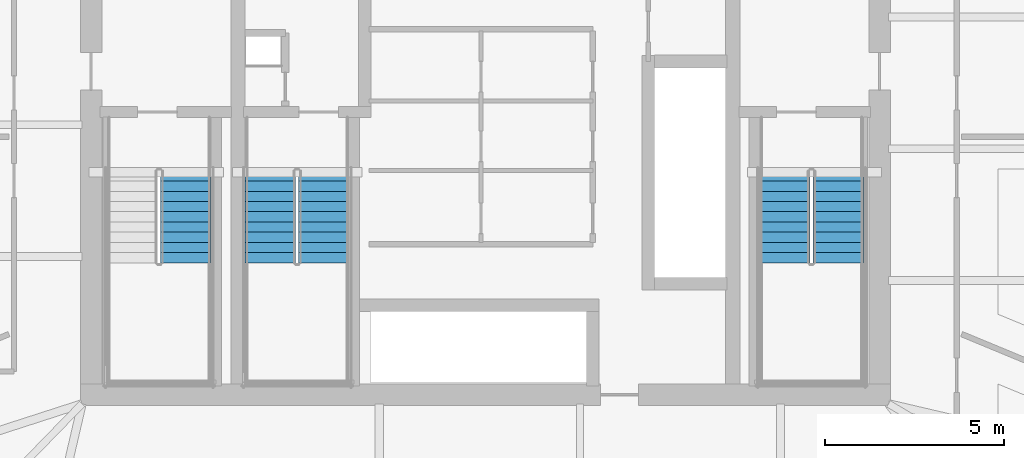
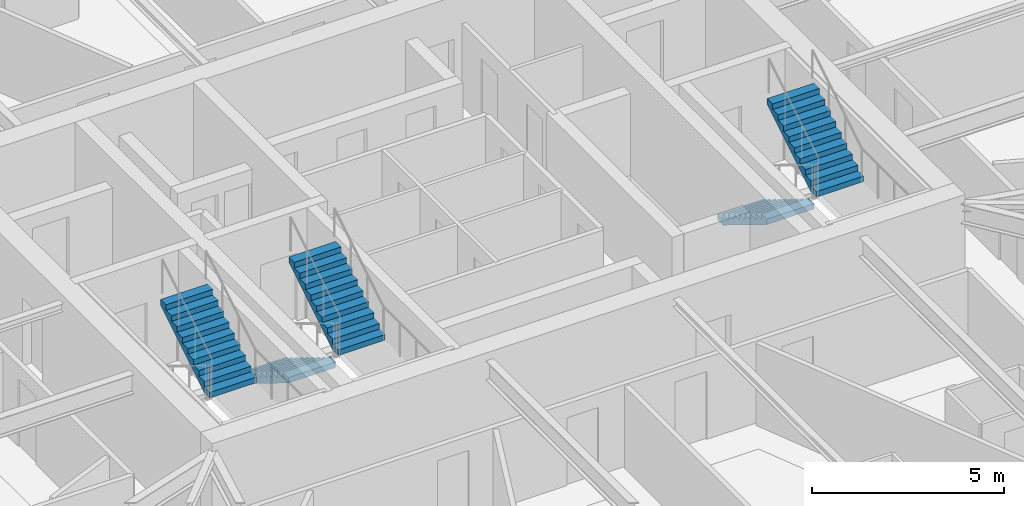
# One storey, part 22 of 27: 5 stair flights, 3 elements without a shape of their own.
"""IFC4 building model written with IfcOpenShell, lengths in metres."""

from ifc_helpers import new_model, si_unit, direction, frame, origin, place, context, subcontext, project, spatial, polyline, outline, extrude, material, type_object, element, aggregate, save


model = new_model("IFC4")

# Units and contexts
model_context = context("Model", 3, precision=1e-05, world=origin(), true_north=direction((0.0, 1.0)))
body_context = subcontext(model_context, "Body", "Model", "MODEL_VIEW")
ifc_project = project(units=[si_unit("LENGTHUNIT", "METRE"), si_unit("AREAUNIT", "SQUARE_METRE"), si_unit("VOLUMEUNIT", "CUBIC_METRE"), si_unit("PLANEANGLEUNIT", "RADIAN"), si_unit("MASSUNIT", "GRAM", prefix="KILO")], contexts=[model_context])

# Site, building, storey
site_placement = place(None, origin())
site = spatial("IfcSite", under=ifc_project, at=site_placement, CompositionType="ELEMENT")
building_placement = place(site_placement, origin())
building = spatial("IfcBuilding", under=site, at=building_placement, Name="Bramvorn Convention Spire", CompositionType="ELEMENT")
storey_placement = place(building_placement, frame((0.0, 0.0, 44.89990234375)))
storey = spatial("IfcBuildingStorey", under=building, at=storey_placement, Name="L08", CompositionType="ELEMENT", Elevation=44.89990234375)

# Stair, stair flight
ifc_material_1 = material(Name="Concrete C40/50 Precast Stair", Category="concrete")
stair_type = type_object("IfcStairType", Name="ST-TOWER-1550", PredefinedType="HALF_TURN_STAIR", material=ifc_material_1)
stair_1_placement = place(storey_placement, origin())
stair_1 = element("IfcStair", 1, at=stair_1_placement, inside=storey, type_object=stair_type, Name="L08 Protected Exit Stair ST1", PredefinedType="HALF_TURN_STAIR")
ifc_material_2 = material(Name="Concrete C40/50 Precast Stair Flight", Category="concrete")
stair_flight_type = type_object("IfcStairFlightType", Name="STF-TOWER-1550", PredefinedType="STRAIGHT", material=ifc_material_2)
stair_flight_1_placement = place(storey_placement, frame((29.64501953125, 22.485107421875, 1.75), z_axis=(0.0, 0.0, 1.0), x_axis=(0.0, 1.0, 0.0)))
stair_flight_1 = element("IfcStairFlight", 2, at=stair_flight_1_placement, type_object=stair_flight_type, Name="ST1 flight 2", NumberOfRisers=10, NumberOfTreads=9, PredefinedType="STRAIGHT", RiserHeight=0.175, TreadLength=0.285, context=body_context, shape_type="SweptSolid", body=[
    extrude(outline(polyline([(0.0, 0.0), (0.0, 0.175048828125), (0.284912109375, 0.175048828125), (0.284912109375, 0.35009765625), (0.570068359375, 0.35009765625), (0.570068359375, 0.52490234375), (0.85498046875, 0.52490234375), (0.85498046875, 0.699951171875), (1.139892578125, 0.699951171875), (1.139892578125, 0.875), (1.425048828125, 0.875), (1.425048828125, 1.050048828125), (1.7099609375, 1.050048828125), (1.7099609375, 1.22509765625), (1.9951171875, 1.22509765625), (1.9951171875, 1.39990234375), (2.280029296875, 1.39990234375), (2.280029296875, 1.574951171875), (2.56494140625, 1.574951171875), (2.56494140625, 1.75), (2.56494140625, 1.399169921875), (0.286376953125, 0.0), (0.0, 0.0)])), frame((0.0, 0.705078125, 0.0), z_axis=(0.0, -1.0, 0.0), x_axis=(1.0, 0.0, 0.0)), (0.0, 0.0, 1.0), 1.409912109375),
])
aggregate(stair_1, [stair_flight_1])

# Stair, stair flights
stair_2_placement = place(storey_placement, origin())
stair_2 = element("IfcStair", 3, at=stair_2_placement, inside=storey, type_object=stair_type, Name="L08 Protected Exit Stair ST2", PredefinedType="HALF_TURN_STAIR")
stair_flight_2_placement = place(storey_placement, frame((46.35498046875, 25.050048828125, 0.0), z_axis=(0.0, 0.0, 1.0), x_axis=(0.0, -1.0, 0.0)))
stair_flight_2 = element("IfcStairFlight", 4, at=stair_flight_2_placement, type_object=stair_flight_type, Name="ST2 flight 1", NumberOfRisers=10, NumberOfTreads=9, PredefinedType="STRAIGHT", RiserHeight=0.175, TreadLength=0.285, context=body_context, shape_type="SweptSolid", body=[
    extrude(outline(polyline([(0.0, 0.0), (0.0, 0.175048828125), (0.284912109375, 0.175048828125), (0.284912109375, 0.35009765625), (0.570068359375, 0.35009765625), (0.570068359375, 0.52490234375), (0.85498046875, 0.52490234375), (0.85498046875, 0.699951171875), (1.139892578125, 0.699951171875), (1.139892578125, 0.875), (1.425048828125, 0.875), (1.425048828125, 1.050048828125), (1.7099609375, 1.050048828125), (1.7099609375, 1.22509765625), (1.9951171875, 1.22509765625), (1.9951171875, 1.39990234375), (2.280029296875, 1.39990234375), (2.280029296875, 1.574951171875), (2.56494140625, 1.574951171875), (2.56494140625, 1.75), (2.56494140625, 1.399169921875), (0.286376953125, 0.0), (0.0, 0.0)])), frame((0.0, 0.705078125, 0.0), z_axis=(0.0, -1.0, 0.0), x_axis=(1.0, 0.0, 0.0)), (0.0, 0.0, 1.0), 1.409912109375),
])
stair_flight_3_placement = place(storey_placement, frame((47.844970703125, 22.485107421875, 1.75), z_axis=(0.0, 0.0, 1.0), x_axis=(0.0, 1.0, 0.0)))
stair_flight_3 = element("IfcStairFlight", 5, at=stair_flight_3_placement, type_object=stair_flight_type, Name="ST2 flight 2", NumberOfRisers=10, NumberOfTreads=9, PredefinedType="STRAIGHT", RiserHeight=0.175, TreadLength=0.285, context=body_context, shape_type="SweptSolid", body=[
    extrude(outline(polyline([(0.0, 0.0), (0.0, 0.175048828125), (0.284912109375, 0.175048828125), (0.284912109375, 0.35009765625), (0.570068359375, 0.35009765625), (0.570068359375, 0.52490234375), (0.85498046875, 0.52490234375), (0.85498046875, 0.699951171875), (1.139892578125, 0.699951171875), (1.139892578125, 0.875), (1.425048828125, 0.875), (1.425048828125, 1.050048828125), (1.7099609375, 1.050048828125), (1.7099609375, 1.22509765625), (1.9951171875, 1.22509765625), (1.9951171875, 1.39990234375), (2.280029296875, 1.39990234375), (2.280029296875, 1.574951171875), (2.56494140625, 1.574951171875), (2.56494140625, 1.75), (2.56494140625, 1.399169921875), (0.286376953125, 0.0), (0.0, 0.0)])), frame((0.0, 0.705078125, 0.0), z_axis=(0.0, -1.0, 0.0), x_axis=(1.0, 0.0, 0.0)), (0.0, 0.0, 1.0), 1.409912109375),
])
aggregate(stair_2, [stair_flight_2, stair_flight_3])

stair_3_placement = place(storey_placement, origin())
stair_3 = element("IfcStair", 6, at=stair_3_placement, inside=storey, type_object=stair_type, Name="L08 Protected Exit Stair ST3", PredefinedType="HALF_TURN_STAIR")
stair_flight_4_placement = place(storey_placement, frame((32.0048828125, 25.050048828125, 0.0), z_axis=(0.0, 0.0, 1.0), x_axis=(0.0, -1.0, 0.0)))
stair_flight_4 = element("IfcStairFlight", 7, at=stair_flight_4_placement, type_object=stair_flight_type, Name="ST3 flight 1", NumberOfRisers=10, NumberOfTreads=9, PredefinedType="STRAIGHT", RiserHeight=0.175, TreadLength=0.285, context=body_context, shape_type="SweptSolid", body=[
    extrude(outline(polyline([(0.0, 0.0), (0.0, 0.175048828125), (0.284912109375, 0.175048828125), (0.284912109375, 0.35009765625), (0.570068359375, 0.35009765625), (0.570068359375, 0.52490234375), (0.85498046875, 0.52490234375), (0.85498046875, 0.699951171875), (1.139892578125, 0.699951171875), (1.139892578125, 0.875), (1.425048828125, 0.875), (1.425048828125, 1.050048828125), (1.7099609375, 1.050048828125), (1.7099609375, 1.22509765625), (1.9951171875, 1.22509765625), (1.9951171875, 1.39990234375), (2.280029296875, 1.39990234375), (2.280029296875, 1.574951171875), (2.56494140625, 1.574951171875), (2.56494140625, 1.75), (2.56494140625, 1.399169921875), (0.286376953125, 0.0), (0.0, 0.0)])), frame((0.0, 0.705078125, 0.0), z_axis=(0.0, -1.0, 0.0), x_axis=(1.0, 0.0, 0.0)), (0.0, 0.0, 1.0), 1.409912109375),
])
stair_flight_5_placement = place(storey_placement, frame((33.4951171875, 22.485107421875, 1.75), z_axis=(0.0, 0.0, 1.0), x_axis=(0.0, 1.0, 0.0)))
stair_flight_5 = element("IfcStairFlight", 8, at=stair_flight_5_placement, type_object=stair_flight_type, Name="ST3 flight 2", NumberOfRisers=10, NumberOfTreads=9, PredefinedType="STRAIGHT", RiserHeight=0.175, TreadLength=0.285, context=body_context, shape_type="SweptSolid", body=[
    extrude(outline(polyline([(0.0, 0.0), (0.0, 0.175048828125), (0.284912109375, 0.175048828125), (0.284912109375, 0.35009765625), (0.570068359375, 0.35009765625), (0.570068359375, 0.52490234375), (0.85498046875, 0.52490234375), (0.85498046875, 0.699951171875), (1.139892578125, 0.699951171875), (1.139892578125, 0.875), (1.425048828125, 0.875), (1.425048828125, 1.050048828125), (1.7099609375, 1.050048828125), (1.7099609375, 1.22509765625), (1.9951171875, 1.22509765625), (1.9951171875, 1.39990234375), (2.280029296875, 1.39990234375), (2.280029296875, 1.574951171875), (2.56494140625, 1.574951171875), (2.56494140625, 1.75), (2.56494140625, 1.399169921875), (0.286376953125, 0.0), (0.0, 0.0)])), frame((0.0, 0.705078125, 0.0), z_axis=(0.0, -1.0, 0.0), x_axis=(1.0, 0.0, 0.0)), (0.0, 0.0, 1.0), 1.409912109375),
])
aggregate(stair_3, [stair_flight_4, stair_flight_5])

save(model, "model.ifc")
